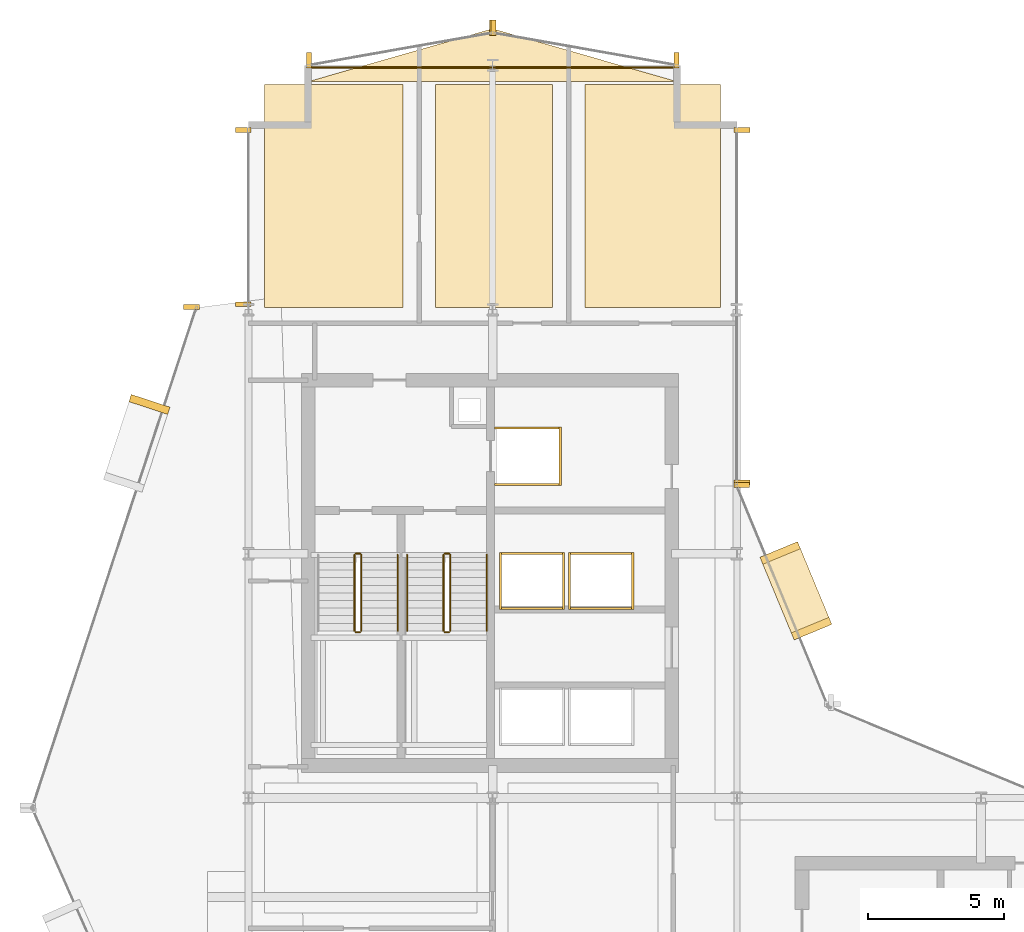
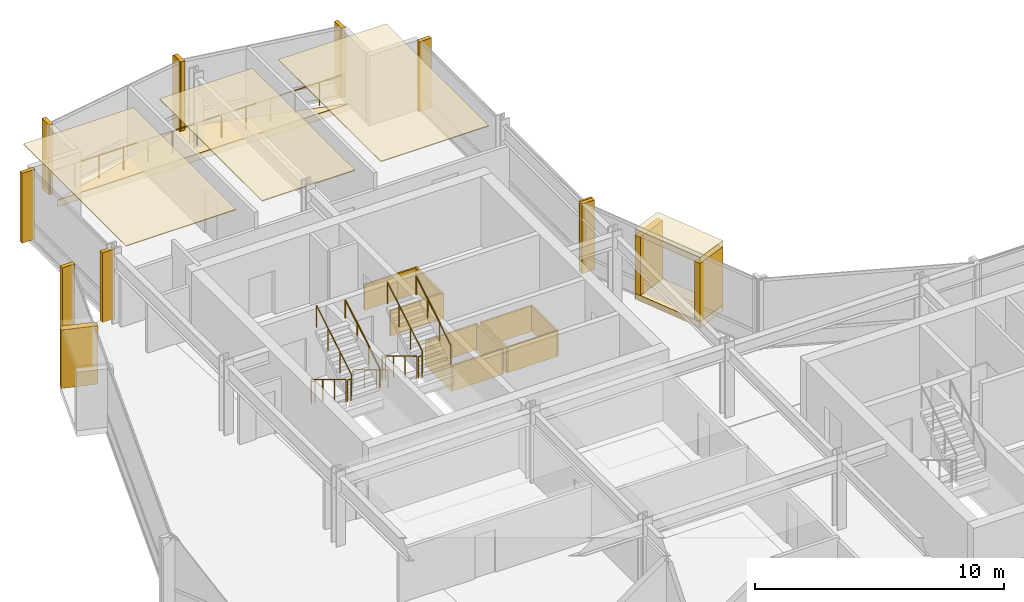
# One storey, part 28 of 28: 30 coverings, 12 railings.
"""IFC4 building model written with IfcOpenShell, lengths in metres."""

from ifc_helpers import new_model, si_unit, direction, frame, origin, origin_2d, place, context, subcontext, project, spatial, polyline, rectangle, circle, outline, extrude, material, layer, layer_set, type_object, element, save


model = new_model("IFC4")

# Units and contexts
model_context = context("Model", 3, precision=1e-05, world=origin(), true_north=direction((0.0, 1.0)))
body_context = subcontext(model_context, "Body", "Model", "MODEL_VIEW")
ifc_project = project(units=[si_unit("LENGTHUNIT", "METRE"), si_unit("AREAUNIT", "SQUARE_METRE"), si_unit("VOLUMEUNIT", "CUBIC_METRE"), si_unit("PLANEANGLEUNIT", "RADIAN"), si_unit("MASSUNIT", "GRAM", prefix="KILO")], contexts=[model_context])

# Site, building, storey
site_placement = place(None, origin())
site = spatial("IfcSite", under=ifc_project, at=site_placement, CompositionType="ELEMENT")
building_placement = place(site_placement, origin())
building = spatial("IfcBuilding", under=site, at=building_placement, Name="Solvaryn Broadcast Tower", CompositionType="ELEMENT")
storey_placement = place(building_placement, frame((0.0, 0.0, 132.199951171875)))
storey = spatial("IfcBuildingStorey", under=building, at=storey_placement, Name="L32", CompositionType="ELEMENT", Elevation=132.199951171875)

# Coverings
ifc_material_1 = material(Name="Micro-Perforated Acoustic Gypsum Ceiling", Category="concrete")
ifc_layer_1 = layer(ifc_material_1, 0.0400390625)
ifc_layer_set_1 = layer_set([ifc_layer_1], Name="CV-CEIL-ACOUSTIC")
covering_type_1 = type_object("IfcCoveringType", Name="CV-CEIL-ACOUSTIC", PredefinedType="CEILING", material=ifc_layer_set_1)
covering_1_placement = place(storey_placement, frame((0.0, 0.0, 3.380126953125)))
element("IfcCovering", 1, at=covering_1_placement, inside=storey, type_object=covering_type_1, Name="L32 Room Acoustic Ceiling 8", PredefinedType="CEILING", context=body_context, shape_type="SweptSolid", body=[
    extrude(outline(polyline([(9.60009765625, 45.070068359375), (14.699951171875, 45.070068359375), (14.699951171875, 53.300048828125), (9.60009765625, 53.300048828125), (9.60009765625, 45.070068359375)])), origin(), (0.0, 0.0, 1.0), 0.0400390625),
])
covering_2_placement = place(storey_placement, frame((0.0, 0.0, 3.380126953125)))
element("IfcCovering", 2, at=covering_2_placement, inside=storey, type_object=covering_type_1, Name="L32 Room Acoustic Ceiling 9", PredefinedType="CEILING", context=body_context, shape_type="SweptSolid", body=[
    extrude(outline(polyline([(15.89990234375, 45.070068359375), (20.199951171875, 45.070068359375), (20.199951171875, 53.300048828125), (15.89990234375, 53.300048828125), (15.89990234375, 45.070068359375)])), origin(), (0.0, 0.0, 1.0), 0.0400390625),
])
covering_3_placement = place(storey_placement, frame((0.0, 0.0, 3.380126953125)))
element("IfcCovering", 3, at=covering_3_placement, inside=storey, type_object=covering_type_1, Name="L32 Room Acoustic Ceiling 10", PredefinedType="CEILING", context=body_context, shape_type="SweptSolid", body=[
    extrude(outline(polyline([(21.39990234375, 45.070068359375), (26.39990234375, 45.070068359375), (26.39990234375, 53.300048828125), (21.39990234375, 53.300048828125), (21.39990234375, 45.070068359375)])), origin(), (0.0, 0.0, 1.0), 0.0400390625),
])
ifc_material_2 = material(Name="Fire-Rated Gypsum Shaftwall Liner", Category="concrete")
ifc_layer_2 = layer(ifc_material_2, 0.080078125)
ifc_layer_set_2 = layer_set([ifc_layer_2], Name="CV-SHAFT-LINER")
covering_type_2 = type_object("IfcCoveringType", Name="CV-SHAFT-LINER", PredefinedType="CLADDING", material=ifc_layer_set_2)
for number, where, z_axis, x_axis, name in (
    (4, (19.300048828125, 40.639892578125, 0.0), (0.0, 0.0, 1.0), (1.0, 0.0, 0.0), "L32 FL1 Hoistway Shaft Liner North"),
    (5, (19.300048828125, 38.56005859375, 0.0), (0.0, 0.0, 1.0), (1.0, 0.0, 0.0), "L32 FL1 Hoistway Shaft Liner South"),
):
    element("IfcCovering", number, at=place(storey_placement, frame(where, z_axis=z_axis, x_axis=x_axis)), inside=storey, type_object=covering_type_2, Name=name, PredefinedType="CLADDING", context=body_context, shape_type="SweptSolid", body=[
        extrude(rectangle(XDim=2.4599609375, YDim=0.080078125, at=origin_2d()), origin(), (0.0, 0.0, 1.0), 1.25),
    ])
covering_4_placement = place(storey_placement, frame((20.489990234375, 39.60009765625, 0.0), z_axis=(0.0, 0.0, 1.0), x_axis=(1.0, 0.0, 0.0)))
element("IfcCovering", 6, at=covering_4_placement, inside=storey, type_object=covering_type_2, Name="L32 FL1 Hoistway Shaft Liner East", PredefinedType="CLADDING", context=body_context, shape_type="SweptSolid", body=[
    extrude(rectangle(XDim=0.080078125, YDim=2.159912109375, at=origin_2d()), origin(), (0.0, 0.0, 1.0), 1.25),
])
for number, where, z_axis, x_axis, name in (
    (7, (19.449951171875, 36.014892578125, 0.0), (0.0, 0.0, 1.0), (1.0, 0.0, 0.0), "L32 PH3 Hoistway Shaft Liner North"),
    (8, (19.449951171875, 33.985107421875, 0.0), (0.0, 0.0, 1.0), (1.0, 0.0, 0.0), "L32 PH3 Hoistway Shaft Liner South"),
):
    element("IfcCovering", number, at=place(storey_placement, frame(where, z_axis=z_axis, x_axis=x_axis)), inside=storey, type_object=covering_type_2, Name=name, PredefinedType="CLADDING", context=body_context, shape_type="SweptSolid", body=[
        extrude(rectangle(XDim=2.409912109375, YDim=0.080078125, at=origin_2d()), origin(), (0.0, 0.0, 1.0), 1.25),
    ])
for number, where, z_axis, x_axis, name in (
    (9, (20.614990234375, 35.0, 0.0), (0.0, 0.0, 1.0), (1.0, 0.0, 0.0), "L32 PH3 Hoistway Shaft Liner East"),
    (10, (18.284912109375, 35.0, 0.0), (0.0, 0.0, 1.0), (1.0, 0.0, 0.0), "L32 PH3 Hoistway Shaft Liner West"),
):
    element("IfcCovering", number, at=place(storey_placement, frame(where, z_axis=z_axis, x_axis=x_axis)), inside=storey, type_object=covering_type_2, Name=name, PredefinedType="CLADDING", context=body_context, shape_type="SweptSolid", body=[
        extrude(rectangle(XDim=0.080078125, YDim=2.110107421875, at=origin_2d()), origin(), (0.0, 0.0, 1.0), 1.25),
    ])
for number, where, z_axis, x_axis, name in (
    (11, (22.0, 36.014892578125, 0.0), (0.0, 0.0, 1.0), (1.0, 0.0, 0.0), "L32 PH4 Hoistway Shaft Liner North"),
    (12, (22.0, 33.985107421875, 0.0), (0.0, 0.0, 1.0), (1.0, 0.0, 0.0), "L32 PH4 Hoistway Shaft Liner South"),
):
    element("IfcCovering", number, at=place(storey_placement, frame(where, z_axis=z_axis, x_axis=x_axis)), inside=storey, type_object=covering_type_2, Name=name, PredefinedType="CLADDING", context=body_context, shape_type="SweptSolid", body=[
        extrude(rectangle(XDim=2.409912109375, YDim=0.080078125, at=origin_2d()), origin(), (0.0, 0.0, 1.0), 1.25),
    ])
for number, where, z_axis, x_axis, name in (
    (13, (23.1650390625, 35.0, 0.0), (0.0, 0.0, 1.0), (1.0, 0.0, 0.0), "L32 PH4 Hoistway Shaft Liner East"),
    (14, (20.8349609375, 35.0, 0.0), (0.0, 0.0, 1.0), (1.0, 0.0, 0.0), "L32 PH4 Hoistway Shaft Liner West"),
):
    element("IfcCovering", number, at=place(storey_placement, frame(where, z_axis=z_axis, x_axis=x_axis)), inside=storey, type_object=covering_type_2, Name=name, PredefinedType="CLADDING", context=body_context, shape_type="SweptSolid", body=[
        extrude(rectangle(XDim=0.080078125, YDim=2.110107421875, at=origin_2d()), origin(), (0.0, 0.0, 1.0), 1.25),
    ])
ifc_material_3 = material(Name="Glazed Architectural Terracotta Rainscreen Cladding", Category="masonry")
ifc_layer_3 = layer(ifc_material_3, 0.280029296875)
ifc_layer_set_3 = layer_set([ifc_layer_3], Name="CV-TC-CLAD")
covering_type_3 = type_object("IfcCoveringType", Name="CV-TC-CLAD", PredefinedType="CLADDING", material=ifc_layer_set_3)
covering_5_placement = place(storey_placement, frame((5.353515625, 41.505859375, 0.27978515625), z_axis=(0.0, 0.0, 1.0), x_axis=(-0.311671636848, -0.950189870912, 0.0)))
element("IfcCovering", 15, at=covering_5_placement, inside=storey, type_object=covering_type_3, Name="L32 Projecting Stone Window Box Cheek 1-1", PredefinedType="CLADDING", context=body_context, shape_type="SweptSolid", body=[
    extrude(rectangle(XDim=0.280029296875, YDim=1.5, at=origin_2d()), origin(), (0.0, 0.0, 1.0), 2.860107421875),
])
for number, where, z_axis, x_axis, name in (
    (16, (29.174072265625, 34.636962890625, 3.1298828125), (0.0, 0.0, 1.0), (-0.382683432365, 0.923879532511, 0.0), "L32 Projecting Stone Window Box Hood 5"),
    (17, (29.174072265625, 34.636962890625, -0.009765625), (0.0, 0.0, 1.0), (-0.382683432365, 0.923879532511, 0.0), "L32 Projecting Stone Window Box Sill 5"),
):
    element("IfcCovering", number, at=place(storey_placement, frame(where, z_axis=z_axis, x_axis=x_axis)), inside=storey, type_object=covering_type_3, Name=name, PredefinedType="CLADDING", context=body_context, shape_type="SweptSolid", body=[
        extrude(rectangle(XDim=3.300048828125, YDim=1.5, at=origin_2d()), origin(), (0.0, 0.0, 1.0), 0.300048828125),
    ])
for number, where, z_axis, x_axis, name in (
    (18, (29.751953125, 33.241943359375, 0.27978515625), (0.0, 0.0, 1.0), (-0.382683432365, 0.923879532511, 0.0), "L32 Projecting Stone Window Box Cheek 5-1"),
    (19, (28.59619140625, 36.031982421875, 0.27978515625), (0.0, 0.0, 1.0), (-0.382683432365, 0.923879532511, 0.0), "L32 Projecting Stone Window Box Cheek 5-2"),
):
    element("IfcCovering", number, at=place(storey_placement, frame(where, z_axis=z_axis, x_axis=x_axis)), inside=storey, type_object=covering_type_3, Name=name, PredefinedType="CLADDING", context=body_context, shape_type="SweptSolid", body=[
        extrude(rectangle(XDim=0.280029296875, YDim=1.5, at=origin_2d()), origin(), (0.0, 0.0, 1.0), 2.860107421875),
    ])
ifc_material_4 = material(Name="Extruded Architectural Terracotta Fin", Category="masonry")
ifc_layer_4 = layer(ifc_material_4, 0.179931640625)
ifc_layer_set_4 = layer_set([ifc_layer_4], Name="CV-TC-FIN")
covering_type_4 = type_object("IfcCoveringType", Name="CV-TC-FIN", PredefinedType="USERDEFINED", material=ifc_layer_set_4)
for number, where, z_axis, x_axis, name in (
    (20, (6.898681640625, 45.0947265625, 0.0), (0.0, 0.0, 1.0), (1.0, 0.0, 0.0), "L32 Terracotta Vertical Fin FIN-L32-DR1-M00"),
    (21, (8.8125, 45.197021484375, 0.0), (0.0, 0.0, 1.0), (1.0, 0.0, 0.0), "L32 Terracotta Vertical Fin FIN-L32-W2-M00"),
    (22, (8.8125, 51.6201171875, 0.0), (0.0, 0.0, 1.0), (1.0, 0.0, 0.0), "L32 Terracotta Vertical Fin FIN-L32-W2-M01"),
    (23, (27.1875, 51.6201171875, 0.0), (0.0, 0.0, 1.0), (1.0, 0.0, 0.0), "L32 Terracotta Vertical Fin FIN-L32-IV-M00"),
    (24, (27.1875, 38.6298828125, 0.0), (0.0, 0.0, 1.0), (1.0, 0.0, 0.0), "L32 Terracotta Vertical Fin FIN-L32-IV-M01"),
    (25, (27.177978515625, 38.541259765625, 0.0), (0.0, 0.0, 1.0), (1.0, 0.0, 0.0), "L32 Terracotta Vertical Fin FIN-L32-CN2-M01"),
):
    element("IfcCovering", number, at=place(storey_placement, frame(where, z_axis=z_axis, x_axis=x_axis)), inside=storey, type_object=covering_type_4, Name=name, ObjectType="FIN", PredefinedType="USERDEFINED", context=body_context, shape_type="SweptSolid", body=[
        extrude(rectangle(XDim=0.580078125, YDim=0.179931640625, at=origin_2d()), origin(), (0.0, 0.0, 1.0), 3.419921875),
    ])
for number, where, z_axis, x_axis, name in (
    (26, (24.7705078125, 54.192626953125, 0.0), (0.0, 0.0, 1.0), (1.0, 0.0, 0.0), "L32 Terracotta Vertical Fin FIN-L32-NT1-M00"),
    (27, (18.029541015625, 55.38232421875, 0.0), (0.0, 0.0, 1.0), (1.0, 0.0, 0.0), "L32 Terracotta Vertical Fin FIN-L32-NT1-M01"),
    (28, (17.970458984375, 55.38232421875, 0.0), (0.0, 0.0, 1.0), (1.0, 0.0, 0.0), "L32 Terracotta Vertical Fin FIN-L32-NT2-M00"),
    (29, (11.2294921875, 54.192626953125, 0.0), (0.0, 0.0, 1.0), (1.0, 0.0, 0.0), "L32 Terracotta Vertical Fin FIN-L32-NT2-M01"),
):
    element("IfcCovering", number, at=place(storey_placement, frame(where, z_axis=z_axis, x_axis=x_axis)), inside=storey, type_object=covering_type_4, Name=name, ObjectType="FIN", PredefinedType="USERDEFINED", context=body_context, shape_type="SweptSolid", body=[
        extrude(rectangle(XDim=0.179931640625, YDim=0.580078125, at=origin_2d()), origin(), (0.0, 0.0, 1.0), 3.419921875),
    ])
ifc_material_5 = material(Name="Sculpted Architectural Terracotta Wave Fascia", Category="masonry")
ifc_layer_5 = layer(ifc_material_5, 0.340087890625)
ifc_layer_set_5 = layer_set([ifc_layer_5], Name="CV-WAVE-TRAY")
covering_type_5 = type_object("IfcCoveringType", Name="CV-WAVE-TRAY", PredefinedType="CLADDING", material=ifc_layer_set_5)
covering_6_placement = place(storey_placement, frame((0.0, 0.0, -0.300048828125)))
element("IfcCovering", 30, at=covering_6_placement, inside=storey, type_object=covering_type_5, Name="L32 North Curved Wing Deck", PredefinedType="CLADDING", context=body_context, shape_type="SweptSolid", body=[
    extrude(outline(polyline([(11.199951171875, 53.39990234375), (24.800048828125, 53.39990234375), (18.0, 55.35009765625), (11.199951171875, 53.39990234375)])), origin(), (0.0, 0.0, 1.0), 0.330078125),
])

# Railings
ifc_material_6 = material(Name="Painted Steel Stair Well Guard", Category="steel")
railing_type_1 = type_object("IfcRailingType", Name="RL-STAIR-GUARD", PredefinedType="BALUSTRADE", material=ifc_material_6)
railing_1_placement = place(storey_placement, frame((12.909912109375, 35.9599609375, 0.168212890625)))
element("IfcRailing", 31, at=railing_1_placement, inside=storey, type_object=railing_type_1, Name="L32 ST1 stair guard 1", PredefinedType="BALUSTRADE", context=body_context, shape_type="SweptSolid", body=[
    extrude(circle(Radius=0.02392578125, at=origin_2d()), frame((0.0, 0.0, 1.076171875), z_axis=(0.0, -0.857242210791, 0.514913383045), x_axis=(1.0, 0.0, 0.0)), (0.0, 0.0, 1.0), 3.266357421875),
    extrude(circle(Radius=0.02099609375, at=origin_2d()), origin(), (0.0, 0.0, 1.0), 1.052001953125),
    extrude(circle(Radius=0.02099609375, at=origin_2d()), frame((0.0, -0.933349609375, 0.560546875)), (0.0, 0.0, 1.0), 1.052001953125),
    extrude(circle(Radius=0.02099609375, at=origin_2d()), frame((0.0, -1.86669921875, 1.121337890625)), (0.0, 0.0, 1.0), 1.052001953125),
    extrude(circle(Radius=0.02099609375, at=origin_2d()), frame((0.0, -2.800048828125, 1.681884765625)), (0.0, 0.0, 1.0), 1.052001953125),
])
railing_2_placement = place(storey_placement, frame((12.9599609375, 33.110107421875, 1.85009765625)))
element("IfcRailing", 32, at=railing_2_placement, inside=storey, type_object=railing_type_1, Name="L32 ST1 stair guard 2", PredefinedType="BALUSTRADE", context=body_context, shape_type="SweptSolid", body=[
    extrude(circle(Radius=0.02392578125, at=origin_2d()), frame((0.0, 0.0, 1.076171875), z_axis=(1.0, 0.0, 0.0), x_axis=(0.0, 1.0, 0.0)), (0.0, 0.0, 1.0), 0.150146484375),
    extrude(circle(Radius=0.02099609375, at=origin_2d()), origin(), (0.0, 0.0, 1.0), 1.052001953125),
    extrude(circle(Radius=0.02099609375, at=origin_2d()), frame((0.150146484375, 0.0, 0.0)), (0.0, 0.0, 1.0), 1.052001953125),
])
railing_3_placement = place(storey_placement, frame((13.159912109375, 33.159912109375, 2.018310546875)))
element("IfcRailing", 33, at=railing_3_placement, inside=storey, type_object=railing_type_1, Name="L32 ST1 stair guard 3", PredefinedType="BALUSTRADE", context=body_context, shape_type="SweptSolid", body=[
    extrude(circle(Radius=0.02392578125, at=origin_2d()), frame((0.0, 0.0, 1.076171875), z_axis=(0.0, 0.857275202839, 0.514858452973), x_axis=(-1.0, 0.0, 0.0)), (0.0, 0.0, 1.0), 3.26611328125),
    extrude(circle(Radius=0.02099609375, at=origin_2d()), origin(), (0.0, 0.0, 1.0), 1.052001953125),
    extrude(circle(Radius=0.02099609375, at=origin_2d()), frame((0.0, 0.933349609375, 0.560546875)), (0.0, 0.0, 1.0), 1.052001953125),
    extrude(circle(Radius=0.02099609375, at=origin_2d()), frame((0.0, 1.86669921875, 1.12109375)), (0.0, 0.0, 1.0), 1.052001953125),
    extrude(circle(Radius=0.02099609375, at=origin_2d()), frame((0.0, 2.800048828125, 1.681640625)), (0.0, 0.0, 1.0), 1.052001953125),
])
railing_4_placement = place(storey_placement, frame((12.9599609375, 36.010009765625, 0.0)))
element("IfcRailing", 34, at=railing_4_placement, inside=storey, type_object=railing_type_1, Name="L32 ST1 stair guard 4", PredefinedType="BALUSTRADE", context=body_context, shape_type="SweptSolid", body=[
    extrude(circle(Radius=0.02392578125, at=origin_2d()), frame((0.0, 0.0, 1.076171875), z_axis=(1.0, 0.0, 0.0), x_axis=(0.0, 1.0, 0.0)), (0.0, 0.0, 1.0), 0.150146484375),
    extrude(circle(Radius=0.02099609375, at=origin_2d()), origin(), (0.0, 0.0, 1.0), 1.052001953125),
    extrude(circle(Radius=0.02099609375, at=origin_2d()), frame((0.150146484375, 0.0, 0.0)), (0.0, 0.0, 1.0), 1.052001953125),
])
railing_5_placement = place(storey_placement, frame((16.18994140625, 35.9599609375, 0.168212890625)))
element("IfcRailing", 35, at=railing_5_placement, inside=storey, type_object=railing_type_1, Name="L32 ST2 stair guard 1", PredefinedType="BALUSTRADE", context=body_context, shape_type="SweptSolid", body=[
    extrude(circle(Radius=0.02392578125, at=origin_2d()), frame((0.0, 0.0, 1.076171875), z_axis=(0.0, -0.857242210791, 0.514913383045), x_axis=(1.0, 0.0, 0.0)), (0.0, 0.0, 1.0), 3.266357421875),
    extrude(circle(Radius=0.02099609375, at=origin_2d()), origin(), (0.0, 0.0, 1.0), 1.052001953125),
    extrude(circle(Radius=0.02099609375, at=origin_2d()), frame((0.0, -0.933349609375, 0.560546875)), (0.0, 0.0, 1.0), 1.052001953125),
    extrude(circle(Radius=0.02099609375, at=origin_2d()), frame((0.0, -1.86669921875, 1.121337890625)), (0.0, 0.0, 1.0), 1.052001953125),
    extrude(circle(Radius=0.02099609375, at=origin_2d()), frame((0.0, -2.800048828125, 1.681884765625)), (0.0, 0.0, 1.0), 1.052001953125),
])
railing_6_placement = place(storey_placement, frame((16.239990234375, 33.110107421875, 1.85009765625)))
element("IfcRailing", 36, at=railing_6_placement, inside=storey, type_object=railing_type_1, Name="L32 ST2 stair guard 2", PredefinedType="BALUSTRADE", context=body_context, shape_type="SweptSolid", body=[
    extrude(circle(Radius=0.02392578125, at=origin_2d()), frame((0.0, 0.0, 1.076171875), z_axis=(1.0, 0.0, 0.0), x_axis=(0.0, 1.0, 0.0)), (0.0, 0.0, 1.0), 0.14990234375),
    extrude(circle(Radius=0.02099609375, at=origin_2d()), origin(), (0.0, 0.0, 1.0), 1.052001953125),
    extrude(circle(Radius=0.02099609375, at=origin_2d()), frame((0.14990234375, 0.0, 0.0)), (0.0, 0.0, 1.0), 1.052001953125),
])
railing_7_placement = place(storey_placement, frame((16.43994140625, 33.159912109375, 2.018310546875)))
element("IfcRailing", 37, at=railing_7_placement, inside=storey, type_object=railing_type_1, Name="L32 ST2 stair guard 3", PredefinedType="BALUSTRADE", context=body_context, shape_type="SweptSolid", body=[
    extrude(circle(Radius=0.02392578125, at=origin_2d()), frame((0.0, 0.0, 1.076171875), z_axis=(0.0, 0.857275202839, 0.514858452973), x_axis=(-1.0, 0.0, 0.0)), (0.0, 0.0, 1.0), 3.26611328125),
    extrude(circle(Radius=0.02099609375, at=origin_2d()), origin(), (0.0, 0.0, 1.0), 1.052001953125),
    extrude(circle(Radius=0.02099609375, at=origin_2d()), frame((0.0, 0.933349609375, 0.560546875)), (0.0, 0.0, 1.0), 1.052001953125),
    extrude(circle(Radius=0.02099609375, at=origin_2d()), frame((0.0, 1.86669921875, 1.12109375)), (0.0, 0.0, 1.0), 1.052001953125),
    extrude(circle(Radius=0.02099609375, at=origin_2d()), frame((0.0, 2.800048828125, 1.681640625)), (0.0, 0.0, 1.0), 1.052001953125),
])
railing_8_placement = place(storey_placement, frame((16.239990234375, 36.010009765625, 0.0)))
element("IfcRailing", 38, at=railing_8_placement, inside=storey, type_object=railing_type_1, Name="L32 ST2 stair guard 4", PredefinedType="BALUSTRADE", context=body_context, shape_type="SweptSolid", body=[
    extrude(circle(Radius=0.02392578125, at=origin_2d()), frame((0.0, 0.0, 1.076171875), z_axis=(1.0, 0.0, 0.0), x_axis=(0.0, 1.0, 0.0)), (0.0, 0.0, 1.0), 0.14990234375),
    extrude(circle(Radius=0.02099609375, at=origin_2d()), origin(), (0.0, 0.0, 1.0), 1.052001953125),
    extrude(circle(Radius=0.02099609375, at=origin_2d()), frame((0.14990234375, 0.0, 0.0)), (0.0, 0.0, 1.0), 1.052001953125),
])
ifc_material_7 = material(Name="Brushed Stainless Steel Tubular Handrail", Category="steel")
railing_type_2 = type_object("IfcRailingType", Name="RL-STAIR-HANDRAIL", PredefinedType="HANDRAIL", material=ifc_material_7)
railing_9_placement = place(storey_placement, frame((14.5, 33.159912109375, 2.018310546875)))
element("IfcRailing", 39, at=railing_9_placement, inside=storey, type_object=railing_type_2, Name="L32 ST1 stair handrail 2", PredefinedType="HANDRAIL", context=body_context, shape_type="SweptSolid", body=[
    extrude(circle(Radius=0.02392578125, at=origin_2d()), frame((0.0, 0.0, 0.8759765625), z_axis=(0.0, 0.857275202839, 0.514858452973), x_axis=(-1.0, 0.0, 0.0)), (0.0, 0.0, 1.0), 3.26611328125),
    extrude(circle(Radius=0.02099609375, at=origin_2d()), origin(), (0.0, 0.0, 1.0), 0.851806640625),
    extrude(circle(Radius=0.02099609375, at=origin_2d()), frame((0.0, 0.933349609375, 0.560546875)), (0.0, 0.0, 1.0), 0.851806640625),
    extrude(circle(Radius=0.02099609375, at=origin_2d()), frame((0.0, 1.86669921875, 1.12109375)), (0.0, 0.0, 1.0), 0.851806640625),
    extrude(circle(Radius=0.02099609375, at=origin_2d()), frame((0.0, 2.800048828125, 1.681640625)), (0.0, 0.0, 1.0), 0.851806640625),
])
railing_10_placement = place(storey_placement, frame((14.85009765625, 35.9599609375, 0.168212890625)))
element("IfcRailing", 40, at=railing_10_placement, inside=storey, type_object=railing_type_2, Name="L32 ST2 stair handrail 1", PredefinedType="HANDRAIL", context=body_context, shape_type="SweptSolid", body=[
    extrude(circle(Radius=0.02392578125, at=origin_2d()), frame((0.0, 0.0, 0.8759765625), z_axis=(0.0, -0.857242210791, 0.514913383045), x_axis=(1.0, 0.0, 0.0)), (0.0, 0.0, 1.0), 3.266357421875),
    extrude(circle(Radius=0.02099609375, at=origin_2d()), origin(), (0.0, 0.0, 1.0), 0.851806640625),
    extrude(circle(Radius=0.02099609375, at=origin_2d()), frame((0.0, -0.933349609375, 0.560546875)), (0.0, 0.0, 1.0), 0.851806640625),
    extrude(circle(Radius=0.02099609375, at=origin_2d()), frame((0.0, -1.86669921875, 1.121337890625)), (0.0, 0.0, 1.0), 0.851806640625),
    extrude(circle(Radius=0.02099609375, at=origin_2d()), frame((0.0, -2.800048828125, 1.681884765625)), (0.0, 0.0, 1.0), 0.851806640625),
])
railing_11_placement = place(storey_placement, frame((17.780029296875, 33.159912109375, 2.018310546875)))
element("IfcRailing", 41, at=railing_11_placement, inside=storey, type_object=railing_type_2, Name="L32 ST2 stair handrail 2", PredefinedType="HANDRAIL", context=body_context, shape_type="SweptSolid", body=[
    extrude(circle(Radius=0.02392578125, at=origin_2d()), frame((0.0, 0.0, 0.8759765625), z_axis=(0.0, 0.857275202839, 0.514858452973), x_axis=(-1.0, 0.0, 0.0)), (0.0, 0.0, 1.0), 3.26611328125),
    extrude(circle(Radius=0.02099609375, at=origin_2d()), origin(), (0.0, 0.0, 1.0), 0.851806640625),
    extrude(circle(Radius=0.02099609375, at=origin_2d()), frame((0.0, 0.933349609375, 0.560546875)), (0.0, 0.0, 1.0), 0.851806640625),
    extrude(circle(Radius=0.02099609375, at=origin_2d()), frame((0.0, 1.86669921875, 1.12109375)), (0.0, 0.0, 1.0), 0.851806640625),
    extrude(circle(Radius=0.02099609375, at=origin_2d()), frame((0.0, 2.800048828125, 1.681640625)), (0.0, 0.0, 1.0), 0.851806640625),
])
ifc_material_8 = material(Name="Stainless Steel and Laminated Glass Guard", Category="steel")
railing_type_3 = type_object("IfcRailingType", Name="RL-TER-1150", PredefinedType="BALUSTRADE", material=ifc_material_8)
railing_12_placement = place(storey_placement, frame((11.199951171875, 53.919921875, 0.0)))
element("IfcRailing", 42, at=railing_12_placement, inside=storey, type_object=railing_type_3, Name="L32 North Wing Spandrel Edge Guard", PredefinedType="BALUSTRADE", context=body_context, shape_type="SweptSolid", body=[
    extrude(circle(Radius=0.02392578125, at=origin_2d()), frame((0.0, 0.0, 1.1259765625), z_axis=(1.0, 0.0, 0.0), x_axis=(0.0, 1.0, 0.0)), (0.0, 0.0, 1.0), 13.60009765625),
    extrude(circle(Radius=0.02099609375, at=origin_2d()), origin(), (0.0, 0.0, 1.0), 1.101806640625),
    extrude(circle(Radius=0.02099609375, at=origin_2d()), frame((1.13330078125, 0.0, 0.0)), (0.0, 0.0, 1.0), 1.101806640625),
    extrude(circle(Radius=0.02099609375, at=origin_2d()), frame((2.2666015625, 0.0, 0.0)), (0.0, 0.0, 1.0), 1.101806640625),
    extrude(circle(Radius=0.02099609375, at=origin_2d()), frame((3.39990234375, 0.0, 0.0)), (0.0, 0.0, 1.0), 1.101806640625),
    extrude(circle(Radius=0.02099609375, at=origin_2d()), frame((4.533447265625, 0.0, 0.0)), (0.0, 0.0, 1.0), 1.101806640625),
    extrude(circle(Radius=0.02099609375, at=origin_2d()), frame((5.666748046875, 0.0, 0.0)), (0.0, 0.0, 1.0), 1.101806640625),
    extrude(circle(Radius=0.02099609375, at=origin_2d()), frame((6.800048828125, 0.0, 0.0)), (0.0, 0.0, 1.0), 1.101806640625),
    extrude(circle(Radius=0.02099609375, at=origin_2d()), frame((7.933349609375, 0.0, 0.0)), (0.0, 0.0, 1.0), 1.101806640625),
    extrude(circle(Radius=0.02099609375, at=origin_2d()), frame((9.066650390625, 0.0, 0.0)), (0.0, 0.0, 1.0), 1.101806640625),
    extrude(circle(Radius=0.02099609375, at=origin_2d()), frame((10.2001953125, 0.0, 0.0)), (0.0, 0.0, 1.0), 1.101806640625),
    extrude(circle(Radius=0.02099609375, at=origin_2d()), frame((11.33349609375, 0.0, 0.0)), (0.0, 0.0, 1.0), 1.101806640625),
    extrude(circle(Radius=0.02099609375, at=origin_2d()), frame((12.466796875, 0.0, 0.0)), (0.0, 0.0, 1.0), 1.101806640625),
    extrude(circle(Radius=0.02099609375, at=origin_2d()), frame((13.60009765625, 0.0, 0.0)), (0.0, 0.0, 1.0), 1.101806640625),
])

save(model, "model.ifc")
